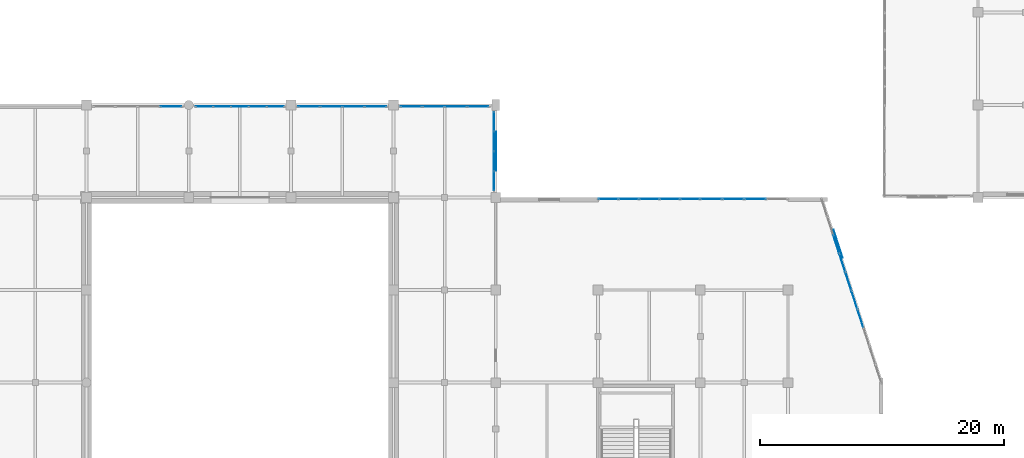
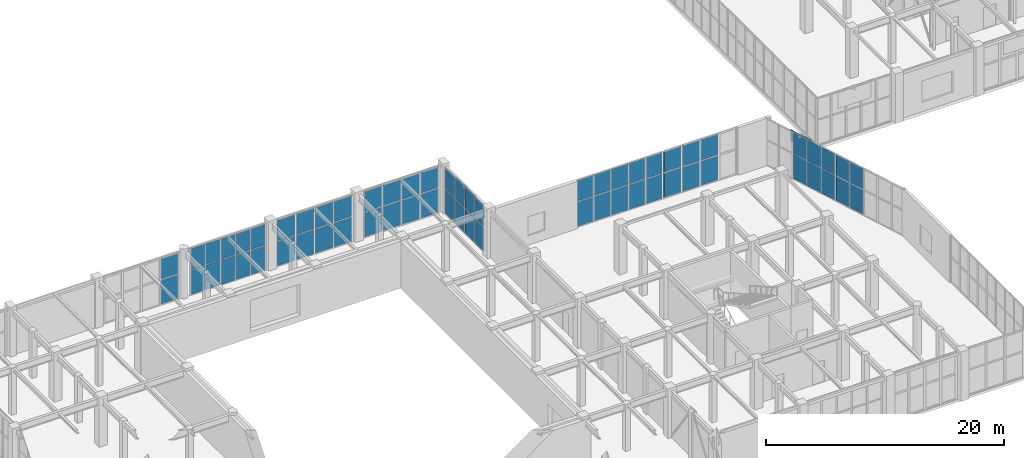
# One storey, part 101 of 128: 64 plates, 9 elements without a shape of their own.
"""IFC4 building model written with IfcOpenShell, lengths in metres."""

from ifc_helpers import new_model, si_unit, direction, frame, origin, origin_2d, place, context, subcontext, project, spatial, rectangle, extrude, material, layer, layer_set, type_object, element, aggregate, save


model = new_model("IFC4")

# Units and contexts
model_context = context("Model", 3, precision=1e-05, world=origin(), true_north=direction((0.0, 1.0)))
body_context = subcontext(model_context, "Body", "Model", "MODEL_VIEW")
ifc_project = project(units=[si_unit("LENGTHUNIT", "METRE"), si_unit("AREAUNIT", "SQUARE_METRE"), si_unit("VOLUMEUNIT", "CUBIC_METRE"), si_unit("PLANEANGLEUNIT", "RADIAN"), si_unit("MASSUNIT", "GRAM", prefix="KILO")], contexts=[model_context])

# Site, building, storey
site_placement = place(None, origin())
site = spatial("IfcSite", under=ifc_project, at=site_placement, CompositionType="ELEMENT")
building_placement = place(site_placement, origin())
building = spatial("IfcBuilding", under=site, at=building_placement, Name="Xicomal Pleat Aquarium", CompositionType="ELEMENT")
storey_placement = place(building_placement, frame((0.0, 0.0, 5.39990234375)))
storey = spatial("IfcBuildingStorey", under=building, at=storey_placement, Name="L02", CompositionType="ELEMENT", Elevation=5.39990234375)

# Curtain wall, plates
ifc_material_1 = material(Name="Bronze anodized aluminium 6063-T6", Category="aluminium")
ifc_layer_1 = layer(ifc_material_1, 0.159912109375)
ifc_layer_set_1 = layer_set([ifc_layer_1], Name="Bronze anodized aluminium 6063-T6")
curtain_wall_type_1 = type_object("IfcCurtainWallType", Name="CW-SYS-12", PredefinedType="NOTDEFINED", material=ifc_layer_set_1)
curtain_wall_1_placement = place(storey_placement, origin())
curtain_wall_1 = element("IfcCurtainWall", 1, at=curtain_wall_1_placement, inside=storey, type_object=curtain_wall_type_1, Name="L02 unitised curtain wall CW-L02-104", PredefinedType="NOTDEFINED")
ifc_material_2 = material(Name="Insulated low-E laminated glass", Category="glass")
ifc_layer_2 = layer(ifc_material_2, 0.028076171875)
ifc_layer_set_2 = layer_set([ifc_layer_2], Name="Insulated low-E laminated glass")
plate_type_1 = type_object("IfcPlateType", Name="CWP-GLZ-28", PredefinedType="CURTAIN_PANEL", material=ifc_layer_set_2)
plate_1_placement = place(storey_placement, frame((67.538818359375, 83.4599609375, 0.085205078125), z_axis=(0.0, 0.0, 1.0), x_axis=(1.0, 0.0, 0.0)))
plate_1 = element("IfcPlate", 2, at=plate_1_placement, type_object=plate_type_1, Name="CW-12 panel 4.1", PredefinedType="CURTAIN_PANEL", context=body_context, shape_type="SweptSolid", body=[
    extrude(rectangle(XDim=1.71240234375, YDim=0.028076171875, at=origin_2d()), origin(), (0.0, 0.0, 1.0), 2.4755859375),
])
plate_2_placement = place(storey_placement, frame((67.538818359375, 83.4599609375, 2.6455078125), z_axis=(0.0, 0.0, 1.0), x_axis=(1.0, 0.0, 0.0)))
plate_2 = element("IfcPlate", 3, at=plate_2_placement, type_object=plate_type_1, Name="CW-12 panel 4.2", PredefinedType="CURTAIN_PANEL", context=body_context, shape_type="SweptSolid", body=[
    extrude(rectangle(XDim=1.71240234375, YDim=0.028076171875, at=origin_2d()), origin(), (0.0, 0.0, 1.0), 2.089599609375),
])
aggregate(curtain_wall_1, [plate_1, plate_2])

ifc_material_3 = material(Name="Bronze anodized aluminium 6063-T6", Category="aluminium")
ifc_layer_3 = layer(ifc_material_3, 0.159912109375)
ifc_layer_set_3 = layer_set([ifc_layer_3], Name="Bronze anodized aluminium 6063-T6")
curtain_wall_type_2 = type_object("IfcCurtainWallType", Name="CW-SYS-02", PredefinedType="NOTDEFINED", material=ifc_layer_set_3)
curtain_wall_2_placement = place(storey_placement, origin())
curtain_wall_2 = element("IfcCurtainWall", 4, at=curtain_wall_2_placement, inside=storey, type_object=curtain_wall_type_2, Name="L02 unitised curtain wall CW-L02-108", PredefinedType="NOTDEFINED")
plate_3_placement = place(storey_placement, frame((94.06005859375, 82.24365234375, 0.06494140625), z_axis=(0.0, 0.0, 1.0), x_axis=(0.0, -1.0, 0.0)))
plate_3 = element("IfcPlate", 5, at=plate_3_placement, type_object=plate_type_1, Name="CW-02 panel 1.1", PredefinedType="CURTAIN_PANEL", context=body_context, shape_type="SweptSolid", body=[
    extrude(rectangle(XDim=1.54248046875, YDim=0.028076171875, at=origin_2d()), origin(), (0.0, 0.0, 1.0), 2.505615234375),
])
plate_4_placement = place(storey_placement, frame((94.06005859375, 82.24365234375, 2.6357421875), z_axis=(0.0, 0.0, 1.0), x_axis=(0.0, -1.0, 0.0)))
plate_4 = element("IfcPlate", 6, at=plate_4_placement, type_object=plate_type_1, Name="CW-02 panel 1.2", PredefinedType="CURTAIN_PANEL", context=body_context, shape_type="SweptSolid", body=[
    extrude(rectangle(XDim=1.54248046875, YDim=0.028076171875, at=origin_2d()), origin(), (0.0, 0.0, 1.0), 2.119384765625),
])
plate_5_placement = place(storey_placement, frame((94.06005859375, 80.6201171875, 0.06494140625), z_axis=(0.0, 0.0, 1.0), x_axis=(0.0, -1.0, 0.0)))
plate_5 = element("IfcPlate", 7, at=plate_5_placement, type_object=plate_type_1, Name="CW-02 panel 2.1", PredefinedType="CURTAIN_PANEL", context=body_context, shape_type="SweptSolid", body=[
    extrude(rectangle(XDim=1.574951171875, YDim=0.028076171875, at=origin_2d()), origin(), (0.0, 0.0, 1.0), 2.505615234375),
])
plate_6_placement = place(storey_placement, frame((94.06005859375, 80.6201171875, 2.6357421875), z_axis=(0.0, 0.0, 1.0), x_axis=(0.0, -1.0, 0.0)))
plate_6 = element("IfcPlate", 8, at=plate_6_placement, type_object=plate_type_1, Name="CW-02 panel 2.2", PredefinedType="CURTAIN_PANEL", context=body_context, shape_type="SweptSolid", body=[
    extrude(rectangle(XDim=1.574951171875, YDim=0.028076171875, at=origin_2d()), origin(), (0.0, 0.0, 1.0), 2.119384765625),
])
plate_7_placement = place(storey_placement, frame((94.06005859375, 78.97998046875, 0.06494140625), z_axis=(0.0, 0.0, 1.0), x_axis=(0.0, -1.0, 0.0)))
plate_7 = element("IfcPlate", 9, at=plate_7_placement, type_object=plate_type_1, Name="CW-02 panel 3.1", PredefinedType="CURTAIN_PANEL", context=body_context, shape_type="SweptSolid", body=[
    extrude(rectangle(XDim=1.574951171875, YDim=0.028076171875, at=origin_2d()), origin(), (0.0, 0.0, 1.0), 2.505615234375),
])
plate_8_placement = place(storey_placement, frame((94.06005859375, 78.97998046875, 2.6357421875), z_axis=(0.0, 0.0, 1.0), x_axis=(0.0, -1.0, 0.0)))
plate_8 = element("IfcPlate", 10, at=plate_8_placement, type_object=plate_type_1, Name="CW-02 panel 3.2", PredefinedType="CURTAIN_PANEL", context=body_context, shape_type="SweptSolid", body=[
    extrude(rectangle(XDim=1.574951171875, YDim=0.028076171875, at=origin_2d()), origin(), (0.0, 0.0, 1.0), 2.119384765625),
])
plate_9_placement = place(storey_placement, frame((94.06005859375, 77.356201171875, 0.06494140625), z_axis=(0.0, 0.0, 1.0), x_axis=(0.0, -1.0, 0.0)))
plate_9 = element("IfcPlate", 11, at=plate_9_placement, type_object=plate_type_1, Name="CW-02 panel 4.1", PredefinedType="CURTAIN_PANEL", context=body_context, shape_type="SweptSolid", body=[
    extrude(rectangle(XDim=1.54248046875, YDim=0.028076171875, at=origin_2d()), origin(), (0.0, 0.0, 1.0), 2.505615234375),
])
plate_10_placement = place(storey_placement, frame((94.06005859375, 77.356201171875, 2.6357421875), z_axis=(0.0, 0.0, 1.0), x_axis=(0.0, -1.0, 0.0)))
plate_10 = element("IfcPlate", 12, at=plate_10_placement, type_object=plate_type_1, Name="CW-02 panel 4.2", PredefinedType="CURTAIN_PANEL", context=body_context, shape_type="SweptSolid", body=[
    extrude(rectangle(XDim=1.54248046875, YDim=0.028076171875, at=origin_2d()), origin(), (0.0, 0.0, 1.0), 2.119384765625),
])
aggregate(curtain_wall_2, [plate_3, plate_4, plate_5, plate_6, plate_7, plate_8, plate_9, plate_10])

ifc_material_4 = material(Name="Bronze anodized aluminium 6063-T6", Category="aluminium")
ifc_layer_4 = layer(ifc_material_4, 0.159912109375)
ifc_layer_set_4 = layer_set([ifc_layer_4], Name="Bronze anodized aluminium 6063-T6")
curtain_wall_type_3 = type_object("IfcCurtainWallType", Name="CW-SYS-07", PredefinedType="NOTDEFINED", material=ifc_layer_set_4)
curtain_wall_3_placement = place(storey_placement, origin())
curtain_wall_3 = element("IfcCurtainWall", 13, at=curtain_wall_3_placement, inside=storey, type_object=curtain_wall_type_3, Name="L02 unitised curtain wall CW-L02-112", PredefinedType="NOTDEFINED")
plate_11_placement = place(storey_placement, frame((123.64990234375, 67.5791015625, 0.0751953125), z_axis=(0.0, 0.0, 1.0), x_axis=(0.309086072339, -0.95103406873, 0.0)))
plate_11 = element("IfcPlate", 14, at=plate_11_placement, type_object=plate_type_1, Name="CW-07 panel 1.1", PredefinedType="CURTAIN_PANEL", context=body_context, shape_type="SweptSolid", body=[
    extrude(rectangle(XDim=1.48583984375, YDim=0.028076171875, at=origin_2d()), origin(), (0.0, 0.0, 1.0), 2.511474609375),
])
plate_12_placement = place(storey_placement, frame((123.64990234375, 67.5791015625, 2.66162109375), z_axis=(0.0, 0.0, 1.0), x_axis=(0.309086072339, -0.95103406873, 0.0)))
plate_12 = element("IfcPlate", 15, at=plate_12_placement, type_object=plate_type_1, Name="CW-07 panel 1.2", PredefinedType="CURTAIN_PANEL", context=body_context, shape_type="SweptSolid", body=[
    extrude(rectangle(XDim=1.48583984375, YDim=0.028076171875, at=origin_2d()), origin(), (0.0, 0.0, 1.0), 2.12353515625),
])
plate_13_placement = place(storey_placement, frame((124.137939453125, 66.076904296875, 0.0751953125), z_axis=(0.0, 0.0, 1.0), x_axis=(0.309086072339, -0.95103406873, 0.0)))
plate_13 = element("IfcPlate", 16, at=plate_13_placement, type_object=plate_type_1, Name="CW-07 panel 2.1", PredefinedType="CURTAIN_PANEL", context=body_context, shape_type="SweptSolid", body=[
    extrude(rectangle(XDim=1.523193359375, YDim=0.028076171875, at=origin_2d()), origin(), (0.0, 0.0, 1.0), 2.511474609375),
])
plate_14_placement = place(storey_placement, frame((124.137939453125, 66.076904296875, 2.66162109375), z_axis=(0.0, 0.0, 1.0), x_axis=(0.309086072339, -0.95103406873, 0.0)))
plate_14 = element("IfcPlate", 17, at=plate_14_placement, type_object=plate_type_1, Name="CW-07 panel 2.2", PredefinedType="CURTAIN_PANEL", context=body_context, shape_type="SweptSolid", body=[
    extrude(rectangle(XDim=1.523193359375, YDim=0.028076171875, at=origin_2d()), origin(), (0.0, 0.0, 1.0), 2.12353515625),
])
aggregate(curtain_wall_3, [plate_11, plate_12, plate_13, plate_14])

curtain_wall_4_placement = place(storey_placement, origin())
curtain_wall_4 = element("IfcCurtainWall", 18, at=curtain_wall_4_placement, inside=storey, type_object=curtain_wall_type_2, Name="L02 unitised curtain wall CW-L02-105", PredefinedType="NOTDEFINED")
ifc_material_5 = material(Name="Insulated low-E laminated glass", Category="glass")
ifc_layer_5 = layer(ifc_material_5, 0.031982421875)
ifc_layer_set_5 = layer_set([ifc_layer_5], Name="Insulated low-E laminated glass")
plate_type_2 = type_object("IfcPlateType", Name="CWP-GLZ-32", PredefinedType="CURTAIN_PANEL", material=ifc_layer_set_5)
plate_15_placement = place(storey_placement, frame((70.272216796875, 83.4599609375, 0.06494140625), z_axis=(0.0, 0.0, 1.0), x_axis=(1.0, 0.0, 0.0)))
plate_15 = element("IfcPlate", 19, at=plate_15_placement, type_object=plate_type_2, Name="CW-02 panel 1.1", PredefinedType="CURTAIN_PANEL", context=body_context, shape_type="SweptSolid", body=[
    extrude(rectangle(XDim=1.37451171875, YDim=0.031982421875, at=origin_2d()), origin(), (0.0, 0.0, 1.0), 2.505615234375),
])
plate_16_placement = place(storey_placement, frame((70.272216796875, 83.4599609375, 2.6357421875), z_axis=(0.0, 0.0, 1.0), x_axis=(1.0, 0.0, 0.0)))
plate_16 = element("IfcPlate", 20, at=plate_16_placement, type_object=plate_type_2, Name="CW-02 panel 1.2", PredefinedType="CURTAIN_PANEL", context=body_context, shape_type="SweptSolid", body=[
    extrude(rectangle(XDim=1.37451171875, YDim=0.031982421875, at=origin_2d()), origin(), (0.0, 0.0, 1.0), 2.119384765625),
])
plate_17_placement = place(storey_placement, frame((71.72802734375, 83.4599609375, 0.06494140625), z_axis=(0.0, 0.0, 1.0), x_axis=(1.0, 0.0, 0.0)))
plate_17 = element("IfcPlate", 21, at=plate_17_placement, type_object=plate_type_2, Name="CW-02 panel 2.1", PredefinedType="CURTAIN_PANEL", context=body_context, shape_type="SweptSolid", body=[
    extrude(rectangle(XDim=1.406982421875, YDim=0.031982421875, at=origin_2d()), origin(), (0.0, 0.0, 1.0), 2.505615234375),
])
plate_18_placement = place(storey_placement, frame((71.72802734375, 83.4599609375, 2.6357421875), z_axis=(0.0, 0.0, 1.0), x_axis=(1.0, 0.0, 0.0)))
plate_18 = element("IfcPlate", 22, at=plate_18_placement, type_object=plate_type_2, Name="CW-02 panel 2.2", PredefinedType="CURTAIN_PANEL", context=body_context, shape_type="SweptSolid", body=[
    extrude(rectangle(XDim=1.406982421875, YDim=0.031982421875, at=origin_2d()), origin(), (0.0, 0.0, 1.0), 2.119384765625),
])
plate_19_placement = place(storey_placement, frame((73.199951171875, 83.4599609375, 0.06494140625), z_axis=(0.0, 0.0, 1.0), x_axis=(1.0, 0.0, 0.0)))
plate_19 = element("IfcPlate", 23, at=plate_19_placement, type_object=plate_type_2, Name="CW-02 panel 3.1", PredefinedType="CURTAIN_PANEL", context=body_context, shape_type="SweptSolid", body=[
    extrude(rectangle(XDim=1.406982421875, YDim=0.031982421875, at=origin_2d()), origin(), (0.0, 0.0, 1.0), 2.505615234375),
])
plate_20_placement = place(storey_placement, frame((73.199951171875, 83.4599609375, 2.6357421875), z_axis=(0.0, 0.0, 1.0), x_axis=(1.0, 0.0, 0.0)))
plate_20 = element("IfcPlate", 24, at=plate_20_placement, type_object=plate_type_2, Name="CW-02 panel 3.2", PredefinedType="CURTAIN_PANEL", context=body_context, shape_type="SweptSolid", body=[
    extrude(rectangle(XDim=1.406982421875, YDim=0.031982421875, at=origin_2d()), origin(), (0.0, 0.0, 1.0), 2.119384765625),
])
plate_21_placement = place(storey_placement, frame((74.672119140625, 83.4599609375, 0.06494140625), z_axis=(0.0, 0.0, 1.0), x_axis=(1.0, 0.0, 0.0)))
plate_21 = element("IfcPlate", 25, at=plate_21_placement, type_object=plate_type_2, Name="CW-02 panel 4.1", PredefinedType="CURTAIN_PANEL", context=body_context, shape_type="SweptSolid", body=[
    extrude(rectangle(XDim=1.406982421875, YDim=0.031982421875, at=origin_2d()), origin(), (0.0, 0.0, 1.0), 2.505615234375),
])
plate_22_placement = place(storey_placement, frame((74.672119140625, 83.4599609375, 2.6357421875), z_axis=(0.0, 0.0, 1.0), x_axis=(1.0, 0.0, 0.0)))
plate_22 = element("IfcPlate", 26, at=plate_22_placement, type_object=plate_type_2, Name="CW-02 panel 4.2", PredefinedType="CURTAIN_PANEL", context=body_context, shape_type="SweptSolid", body=[
    extrude(rectangle(XDim=1.406982421875, YDim=0.031982421875, at=origin_2d()), origin(), (0.0, 0.0, 1.0), 2.119384765625),
])
plate_23_placement = place(storey_placement, frame((76.127685546875, 83.4599609375, 0.06494140625), z_axis=(0.0, 0.0, 1.0), x_axis=(1.0, 0.0, 0.0)))
plate_23 = element("IfcPlate", 27, at=plate_23_placement, type_object=plate_type_2, Name="CW-02 panel 5.1", PredefinedType="CURTAIN_PANEL", context=body_context, shape_type="SweptSolid", body=[
    extrude(rectangle(XDim=1.37451171875, YDim=0.031982421875, at=origin_2d()), origin(), (0.0, 0.0, 1.0), 2.505615234375),
])
plate_24_placement = place(storey_placement, frame((76.127685546875, 83.4599609375, 2.6357421875), z_axis=(0.0, 0.0, 1.0), x_axis=(1.0, 0.0, 0.0)))
plate_24 = element("IfcPlate", 28, at=plate_24_placement, type_object=plate_type_2, Name="CW-02 panel 5.2", PredefinedType="CURTAIN_PANEL", context=body_context, shape_type="SweptSolid", body=[
    extrude(rectangle(XDim=1.37451171875, YDim=0.031982421875, at=origin_2d()), origin(), (0.0, 0.0, 1.0), 2.119384765625),
])
aggregate(curtain_wall_4, [plate_15, plate_16, plate_17, plate_18, plate_19, plate_20, plate_21, plate_22, plate_23, plate_24])

curtain_wall_5_placement = place(storey_placement, origin())
curtain_wall_5 = element("IfcCurtainWall", 29, at=curtain_wall_5_placement, inside=storey, type_object=curtain_wall_type_3, Name="L02 unitised curtain wall CW-L02-109", PredefinedType="NOTDEFINED")
plate_25_placement = place(storey_placement, frame((103.458740234375, 75.860107421875, 0.0751953125), z_axis=(0.0, 0.0, 1.0), x_axis=(1.0, 0.0, 0.0)))
plate_25 = element("IfcPlate", 30, at=plate_25_placement, type_object=plate_type_2, Name="CW-07 panel 1.1", PredefinedType="CURTAIN_PANEL", context=body_context, shape_type="SweptSolid", body=[
    extrude(rectangle(XDim=1.5673828125, YDim=0.031982421875, at=origin_2d()), origin(), (0.0, 0.0, 1.0), 2.511474609375),
])
plate_26_placement = place(storey_placement, frame((103.458740234375, 75.860107421875, 2.66162109375), z_axis=(0.0, 0.0, 1.0), x_axis=(1.0, 0.0, 0.0)))
plate_26 = element("IfcPlate", 31, at=plate_26_placement, type_object=plate_type_2, Name="CW-07 panel 1.2", PredefinedType="CURTAIN_PANEL", context=body_context, shape_type="SweptSolid", body=[
    extrude(rectangle(XDim=1.5673828125, YDim=0.031982421875, at=origin_2d()), origin(), (0.0, 0.0, 1.0), 2.12353515625),
])
plate_27_placement = place(storey_placement, frame((105.1201171875, 75.860107421875, 0.0751953125), z_axis=(0.0, 0.0, 1.0), x_axis=(1.0, 0.0, 0.0)))
plate_27 = element("IfcPlate", 32, at=plate_27_placement, type_object=plate_type_2, Name="CW-07 panel 2.1", PredefinedType="CURTAIN_PANEL", context=body_context, shape_type="SweptSolid", body=[
    extrude(rectangle(XDim=1.60498046875, YDim=0.031982421875, at=origin_2d()), origin(), (0.0, 0.0, 1.0), 2.511474609375),
])
plate_28_placement = place(storey_placement, frame((105.1201171875, 75.860107421875, 2.66162109375), z_axis=(0.0, 0.0, 1.0), x_axis=(1.0, 0.0, 0.0)))
plate_28 = element("IfcPlate", 33, at=plate_28_placement, type_object=plate_type_2, Name="CW-07 panel 2.2", PredefinedType="CURTAIN_PANEL", context=body_context, shape_type="SweptSolid", body=[
    extrude(rectangle(XDim=1.60498046875, YDim=0.031982421875, at=origin_2d()), origin(), (0.0, 0.0, 1.0), 2.12353515625),
])
plate_29_placement = place(storey_placement, frame((106.800048828125, 75.860107421875, 0.0751953125), z_axis=(0.0, 0.0, 1.0), x_axis=(1.0, 0.0, 0.0)))
plate_29 = element("IfcPlate", 34, at=plate_29_placement, type_object=plate_type_2, Name="CW-07 panel 3.1", PredefinedType="CURTAIN_PANEL", context=body_context, shape_type="SweptSolid", body=[
    extrude(rectangle(XDim=1.60498046875, YDim=0.031982421875, at=origin_2d()), origin(), (0.0, 0.0, 1.0), 2.511474609375),
])
plate_30_placement = place(storey_placement, frame((106.800048828125, 75.860107421875, 2.66162109375), z_axis=(0.0, 0.0, 1.0), x_axis=(1.0, 0.0, 0.0)))
plate_30 = element("IfcPlate", 35, at=plate_30_placement, type_object=plate_type_2, Name="CW-07 panel 3.2", PredefinedType="CURTAIN_PANEL", context=body_context, shape_type="SweptSolid", body=[
    extrude(rectangle(XDim=1.60498046875, YDim=0.031982421875, at=origin_2d()), origin(), (0.0, 0.0, 1.0), 2.12353515625),
])
plate_31_placement = place(storey_placement, frame((108.47998046875, 75.860107421875, 0.0751953125), z_axis=(0.0, 0.0, 1.0), x_axis=(1.0, 0.0, 0.0)))
plate_31 = element("IfcPlate", 36, at=plate_31_placement, type_object=plate_type_2, Name="CW-07 panel 4.1", PredefinedType="CURTAIN_PANEL", context=body_context, shape_type="SweptSolid", body=[
    extrude(rectangle(XDim=1.60498046875, YDim=0.031982421875, at=origin_2d()), origin(), (0.0, 0.0, 1.0), 2.511474609375),
])
plate_32_placement = place(storey_placement, frame((108.47998046875, 75.860107421875, 2.66162109375), z_axis=(0.0, 0.0, 1.0), x_axis=(1.0, 0.0, 0.0)))
plate_32 = element("IfcPlate", 37, at=plate_32_placement, type_object=plate_type_2, Name="CW-07 panel 4.2", PredefinedType="CURTAIN_PANEL", context=body_context, shape_type="SweptSolid", body=[
    extrude(rectangle(XDim=1.60498046875, YDim=0.031982421875, at=origin_2d()), origin(), (0.0, 0.0, 1.0), 2.12353515625),
])
plate_33_placement = place(storey_placement, frame((110.14111328125, 75.860107421875, 0.0751953125), z_axis=(0.0, 0.0, 1.0), x_axis=(1.0, 0.0, 0.0)))
plate_33 = element("IfcPlate", 38, at=plate_33_placement, type_object=plate_type_2, Name="CW-07 panel 5.1", PredefinedType="CURTAIN_PANEL", context=body_context, shape_type="SweptSolid", body=[
    extrude(rectangle(XDim=1.5673828125, YDim=0.031982421875, at=origin_2d()), origin(), (0.0, 0.0, 1.0), 2.511474609375),
])
plate_34_placement = place(storey_placement, frame((110.14111328125, 75.860107421875, 2.66162109375), z_axis=(0.0, 0.0, 1.0), x_axis=(1.0, 0.0, 0.0)))
plate_34 = element("IfcPlate", 39, at=plate_34_placement, type_object=plate_type_2, Name="CW-07 panel 5.2", PredefinedType="CURTAIN_PANEL", context=body_context, shape_type="SweptSolid", body=[
    extrude(rectangle(XDim=1.5673828125, YDim=0.031982421875, at=origin_2d()), origin(), (0.0, 0.0, 1.0), 2.12353515625),
])
aggregate(curtain_wall_5, [plate_25, plate_26, plate_27, plate_28, plate_29, plate_30, plate_31, plate_32, plate_33, plate_34])

curtain_wall_6_placement = place(storey_placement, origin())
curtain_wall_6 = element("IfcCurtainWall", 40, at=curtain_wall_6_placement, inside=storey, type_object=curtain_wall_type_3, Name="L02 unitised curtain wall CW-L02-106", PredefinedType="NOTDEFINED")
ifc_material_6 = material(Name="Insulated low-E laminated glass", Category="glass")
ifc_layer_6 = layer(ifc_material_6, 0.035888671875)
ifc_layer_set_6 = layer_set([ifc_layer_6], Name="Insulated low-E laminated glass")
plate_type_3 = type_object("IfcPlateType", Name="CWP-GLZ-36", PredefinedType="CURTAIN_PANEL", material=ifc_layer_set_6)
plate_35_placement = place(storey_placement, frame((78.85888671875, 83.4599609375, 0.0751953125), z_axis=(0.0, 0.0, 1.0), x_axis=(1.0, 0.0, 0.0)))
plate_35 = element("IfcPlate", 41, at=plate_35_placement, type_object=plate_type_3, Name="CW-07 panel 1.1", PredefinedType="CURTAIN_PANEL", context=body_context, shape_type="SweptSolid", body=[
    extrude(rectangle(XDim=1.7275390625, YDim=0.035888671875, at=origin_2d()), origin(), (0.0, 0.0, 1.0), 2.490478515625),
])
plate_36_placement = place(storey_placement, frame((78.85888671875, 83.4599609375, 2.640625), z_axis=(0.0, 0.0, 1.0), x_axis=(1.0, 0.0, 0.0)))
plate_36 = element("IfcPlate", 42, at=plate_36_placement, type_object=plate_type_3, Name="CW-07 panel 1.2", PredefinedType="CURTAIN_PANEL", context=body_context, shape_type="SweptSolid", body=[
    extrude(rectangle(XDim=1.7275390625, YDim=0.035888671875, at=origin_2d()), origin(), (0.0, 0.0, 1.0), 2.1044921875),
])
plate_37_placement = place(storey_placement, frame((80.679931640625, 83.4599609375, 0.0751953125), z_axis=(0.0, 0.0, 1.0), x_axis=(1.0, 0.0, 0.0)))
plate_37 = element("IfcPlate", 43, at=plate_37_placement, type_object=plate_type_3, Name="CW-07 panel 2.1", PredefinedType="CURTAIN_PANEL", context=body_context, shape_type="SweptSolid", body=[
    extrude(rectangle(XDim=1.764892578125, YDim=0.035888671875, at=origin_2d()), origin(), (0.0, 0.0, 1.0), 2.490478515625),
])
plate_38_placement = place(storey_placement, frame((80.679931640625, 83.4599609375, 2.640625), z_axis=(0.0, 0.0, 1.0), x_axis=(1.0, 0.0, 0.0)))
plate_38 = element("IfcPlate", 44, at=plate_38_placement, type_object=plate_type_3, Name="CW-07 panel 2.2", PredefinedType="CURTAIN_PANEL", context=body_context, shape_type="SweptSolid", body=[
    extrude(rectangle(XDim=1.764892578125, YDim=0.035888671875, at=origin_2d()), origin(), (0.0, 0.0, 1.0), 2.1044921875),
])
plate_39_placement = place(storey_placement, frame((82.52001953125, 83.4599609375, 0.0751953125), z_axis=(0.0, 0.0, 1.0), x_axis=(1.0, 0.0, 0.0)))
plate_39 = element("IfcPlate", 45, at=plate_39_placement, type_object=plate_type_3, Name="CW-07 panel 3.1", PredefinedType="CURTAIN_PANEL", context=body_context, shape_type="SweptSolid", body=[
    extrude(rectangle(XDim=1.764892578125, YDim=0.035888671875, at=origin_2d()), origin(), (0.0, 0.0, 1.0), 2.490478515625),
])
plate_40_placement = place(storey_placement, frame((82.52001953125, 83.4599609375, 2.640625), z_axis=(0.0, 0.0, 1.0), x_axis=(1.0, 0.0, 0.0)))
plate_40 = element("IfcPlate", 46, at=plate_40_placement, type_object=plate_type_3, Name="CW-07 panel 3.2", PredefinedType="CURTAIN_PANEL", context=body_context, shape_type="SweptSolid", body=[
    extrude(rectangle(XDim=1.764892578125, YDim=0.035888671875, at=origin_2d()), origin(), (0.0, 0.0, 1.0), 2.1044921875),
])
plate_41_placement = place(storey_placement, frame((84.34130859375, 83.4599609375, 0.0751953125), z_axis=(0.0, 0.0, 1.0), x_axis=(1.0, 0.0, 0.0)))
plate_41 = element("IfcPlate", 47, at=plate_41_placement, type_object=plate_type_3, Name="CW-07 panel 4.1", PredefinedType="CURTAIN_PANEL", context=body_context, shape_type="SweptSolid", body=[
    extrude(rectangle(XDim=1.7275390625, YDim=0.035888671875, at=origin_2d()), origin(), (0.0, 0.0, 1.0), 2.490478515625),
])
plate_42_placement = place(storey_placement, frame((84.34130859375, 83.4599609375, 2.640625), z_axis=(0.0, 0.0, 1.0), x_axis=(1.0, 0.0, 0.0)))
plate_42 = element("IfcPlate", 48, at=plate_42_placement, type_object=plate_type_3, Name="CW-07 panel 4.2", PredefinedType="CURTAIN_PANEL", context=body_context, shape_type="SweptSolid", body=[
    extrude(rectangle(XDim=1.7275390625, YDim=0.035888671875, at=origin_2d()), origin(), (0.0, 0.0, 1.0), 2.1044921875),
])
aggregate(curtain_wall_6, [plate_35, plate_36, plate_37, plate_38, plate_39, plate_40, plate_41, plate_42])

curtain_wall_7_placement = place(storey_placement, origin())
curtain_wall_7 = element("IfcCurtainWall", 49, at=curtain_wall_7_placement, inside=storey, type_object=curtain_wall_type_1, Name="L02 unitised curtain wall CW-L02-110", PredefinedType="NOTDEFINED")
plate_43_placement = place(storey_placement, frame((111.92138671875, 75.860107421875, 0.0849609375), z_axis=(0.0, 0.0, 1.0), x_axis=(1.0, 0.0, 0.0)))
plate_43 = element("IfcPlate", 50, at=plate_43_placement, type_object=plate_type_3, Name="CW-12 panel 1.1", PredefinedType="CURTAIN_PANEL", context=body_context, shape_type="SweptSolid", body=[
    extrude(rectangle(XDim=1.672607421875, YDim=0.035888671875, at=origin_2d()), origin(), (0.0, 0.0, 1.0), 2.49658203125),
])
plate_44_placement = place(storey_placement, frame((111.92138671875, 75.860107421875, 2.66650390625), z_axis=(0.0, 0.0, 1.0), x_axis=(1.0, 0.0, 0.0)))
plate_44 = element("IfcPlate", 51, at=plate_44_placement, type_object=plate_type_3, Name="CW-12 panel 1.2", PredefinedType="CURTAIN_PANEL", context=body_context, shape_type="SweptSolid", body=[
    extrude(rectangle(XDim=1.672607421875, YDim=0.035888671875, at=origin_2d()), origin(), (0.0, 0.0, 1.0), 2.1083984375),
])
plate_45_placement = place(storey_placement, frame((113.699951171875, 75.860107421875, 0.0849609375), z_axis=(0.0, 0.0, 1.0), x_axis=(1.0, 0.0, 0.0)))
plate_45 = element("IfcPlate", 52, at=plate_45_placement, type_object=plate_type_3, Name="CW-12 panel 2.1", PredefinedType="CURTAIN_PANEL", context=body_context, shape_type="SweptSolid", body=[
    extrude(rectangle(XDim=1.715087890625, YDim=0.035888671875, at=origin_2d()), origin(), (0.0, 0.0, 1.0), 2.49658203125),
])
plate_46_placement = place(storey_placement, frame((113.699951171875, 75.860107421875, 2.66650390625), z_axis=(0.0, 0.0, 1.0), x_axis=(1.0, 0.0, 0.0)))
plate_46 = element("IfcPlate", 53, at=plate_46_placement, type_object=plate_type_3, Name="CW-12 panel 2.2", PredefinedType="CURTAIN_PANEL", context=body_context, shape_type="SweptSolid", body=[
    extrude(rectangle(XDim=1.715087890625, YDim=0.035888671875, at=origin_2d()), origin(), (0.0, 0.0, 1.0), 2.1083984375),
])
plate_47_placement = place(storey_placement, frame((115.5, 75.860107421875, 0.0849609375), z_axis=(0.0, 0.0, 1.0), x_axis=(1.0, 0.0, 0.0)))
plate_47 = element("IfcPlate", 54, at=plate_47_placement, type_object=plate_type_3, Name="CW-12 panel 3.1", PredefinedType="CURTAIN_PANEL", context=body_context, shape_type="SweptSolid", body=[
    extrude(rectangle(XDim=1.715087890625, YDim=0.035888671875, at=origin_2d()), origin(), (0.0, 0.0, 1.0), 2.49658203125),
])
plate_48_placement = place(storey_placement, frame((115.5, 75.860107421875, 2.66650390625), z_axis=(0.0, 0.0, 1.0), x_axis=(1.0, 0.0, 0.0)))
plate_48 = element("IfcPlate", 55, at=plate_48_placement, type_object=plate_type_3, Name="CW-12 panel 3.2", PredefinedType="CURTAIN_PANEL", context=body_context, shape_type="SweptSolid", body=[
    extrude(rectangle(XDim=1.715087890625, YDim=0.035888671875, at=origin_2d()), origin(), (0.0, 0.0, 1.0), 2.1083984375),
])
aggregate(curtain_wall_7, [plate_43, plate_44, plate_45, plate_46, plate_47, plate_48])

curtain_wall_8_placement = place(storey_placement, origin())
curtain_wall_8 = element("IfcCurtainWall", 56, at=curtain_wall_8_placement, inside=storey, type_object=curtain_wall_type_1, Name="L02 unitised curtain wall CW-L02-107", PredefinedType="NOTDEFINED")
ifc_material_7 = material(Name="Insulated low-E laminated glass", Category="glass")
ifc_layer_7 = layer(ifc_material_7, 0.0419921875)
ifc_layer_set_7 = layer_set([ifc_layer_7], Name="Insulated low-E laminated glass")
plate_type_4 = type_object("IfcPlateType", Name="CWP-GLZ-42", PredefinedType="CURTAIN_PANEL", material=ifc_layer_set_7)
plate_49_placement = place(storey_placement, frame((87.26123046875, 83.4599609375, 0.085205078125), z_axis=(0.0, 0.0, 1.0), x_axis=(1.0, 0.0, 0.0)))
plate_49 = element("IfcPlate", 57, at=plate_49_placement, type_object=plate_type_4, Name="CW-12 panel 1.1", PredefinedType="CURTAIN_PANEL", context=body_context, shape_type="SweptSolid", body=[
    extrude(rectangle(XDim=1.71240234375, YDim=0.0419921875, at=origin_2d()), origin(), (0.0, 0.0, 1.0), 2.4755859375),
])
plate_50_placement = place(storey_placement, frame((87.26123046875, 83.4599609375, 2.6455078125), z_axis=(0.0, 0.0, 1.0), x_axis=(1.0, 0.0, 0.0)))
plate_50 = element("IfcPlate", 58, at=plate_50_placement, type_object=plate_type_4, Name="CW-12 panel 1.2", PredefinedType="CURTAIN_PANEL", context=body_context, shape_type="SweptSolid", body=[
    extrude(rectangle(XDim=1.71240234375, YDim=0.0419921875, at=origin_2d()), origin(), (0.0, 0.0, 1.0), 2.089599609375),
])
plate_51_placement = place(storey_placement, frame((89.080078125, 83.4599609375, 0.085205078125), z_axis=(0.0, 0.0, 1.0), x_axis=(1.0, 0.0, 0.0)))
plate_51 = element("IfcPlate", 59, at=plate_51_placement, type_object=plate_type_4, Name="CW-12 panel 2.1", PredefinedType="CURTAIN_PANEL", context=body_context, shape_type="SweptSolid", body=[
    extrude(rectangle(XDim=1.7548828125, YDim=0.0419921875, at=origin_2d()), origin(), (0.0, 0.0, 1.0), 2.4755859375),
])
plate_52_placement = place(storey_placement, frame((89.080078125, 83.4599609375, 2.6455078125), z_axis=(0.0, 0.0, 1.0), x_axis=(1.0, 0.0, 0.0)))
plate_52 = element("IfcPlate", 60, at=plate_52_placement, type_object=plate_type_4, Name="CW-12 panel 2.2", PredefinedType="CURTAIN_PANEL", context=body_context, shape_type="SweptSolid", body=[
    extrude(rectangle(XDim=1.7548828125, YDim=0.0419921875, at=origin_2d()), origin(), (0.0, 0.0, 1.0), 2.089599609375),
])
plate_53_placement = place(storey_placement, frame((90.919921875, 83.4599609375, 0.085205078125), z_axis=(0.0, 0.0, 1.0), x_axis=(1.0, 0.0, 0.0)))
plate_53 = element("IfcPlate", 61, at=plate_53_placement, type_object=plate_type_4, Name="CW-12 panel 3.1", PredefinedType="CURTAIN_PANEL", context=body_context, shape_type="SweptSolid", body=[
    extrude(rectangle(XDim=1.7548828125, YDim=0.0419921875, at=origin_2d()), origin(), (0.0, 0.0, 1.0), 2.4755859375),
])
plate_54_placement = place(storey_placement, frame((90.919921875, 83.4599609375, 2.6455078125), z_axis=(0.0, 0.0, 1.0), x_axis=(1.0, 0.0, 0.0)))
plate_54 = element("IfcPlate", 62, at=plate_54_placement, type_object=plate_type_4, Name="CW-12 panel 3.2", PredefinedType="CURTAIN_PANEL", context=body_context, shape_type="SweptSolid", body=[
    extrude(rectangle(XDim=1.7548828125, YDim=0.0419921875, at=origin_2d()), origin(), (0.0, 0.0, 1.0), 2.089599609375),
])
plate_55_placement = place(storey_placement, frame((92.73876953125, 83.4599609375, 0.085205078125), z_axis=(0.0, 0.0, 1.0), x_axis=(1.0, 0.0, 0.0)))
plate_55 = element("IfcPlate", 63, at=plate_55_placement, type_object=plate_type_4, Name="CW-12 panel 4.1", PredefinedType="CURTAIN_PANEL", context=body_context, shape_type="SweptSolid", body=[
    extrude(rectangle(XDim=1.71240234375, YDim=0.0419921875, at=origin_2d()), origin(), (0.0, 0.0, 1.0), 2.4755859375),
])
plate_56_placement = place(storey_placement, frame((92.73876953125, 83.4599609375, 2.6455078125), z_axis=(0.0, 0.0, 1.0), x_axis=(1.0, 0.0, 0.0)))
plate_56 = element("IfcPlate", 64, at=plate_56_placement, type_object=plate_type_4, Name="CW-12 panel 4.2", PredefinedType="CURTAIN_PANEL", context=body_context, shape_type="SweptSolid", body=[
    extrude(rectangle(XDim=1.71240234375, YDim=0.0419921875, at=origin_2d()), origin(), (0.0, 0.0, 1.0), 2.089599609375),
])
aggregate(curtain_wall_8, [plate_49, plate_50, plate_51, plate_52, plate_53, plate_54, plate_55, plate_56])

curtain_wall_9_placement = place(storey_placement, origin())
curtain_wall_9 = element("IfcCurtainWall", 65, at=curtain_wall_9_placement, inside=storey, type_object=curtain_wall_type_2, Name="L02 unitised curtain wall CW-L02-111", PredefinedType="NOTDEFINED")
plate_57_placement = place(storey_placement, frame((122.162109375, 72.156982421875, 0.06494140625), z_axis=(0.0, 0.0, 1.0), x_axis=(0.309086072339, -0.95103406873, 0.0)))
plate_57 = element("IfcPlate", 66, at=plate_57_placement, type_object=plate_type_4, Name="CW-02 panel 3.1", PredefinedType="CURTAIN_PANEL", context=body_context, shape_type="SweptSolid", body=[
    extrude(rectangle(XDim=1.533203125, YDim=0.0419921875, at=origin_2d()), origin(), (0.0, 0.0, 1.0), 2.526611328125),
])
plate_58_placement = place(storey_placement, frame((122.162109375, 72.156982421875, 2.65673828125), z_axis=(0.0, 0.0, 1.0), x_axis=(0.309086072339, -0.95103406873, 0.0)))
plate_58 = element("IfcPlate", 67, at=plate_58_placement, type_object=plate_type_4, Name="CW-02 panel 3.2", PredefinedType="CURTAIN_PANEL", context=body_context, shape_type="SweptSolid", body=[
    extrude(rectangle(XDim=1.533203125, YDim=0.0419921875, at=origin_2d()), origin(), (0.0, 0.0, 1.0), 2.138427734375),
])
plate_59_placement = place(storey_placement, frame((122.656005859375, 70.636962890625, 0.06494140625), z_axis=(0.0, 0.0, 1.0), x_axis=(0.309086072339, -0.95103406873, 0.0)))
plate_59 = element("IfcPlate", 68, at=plate_59_placement, type_object=plate_type_4, Name="CW-02 panel 4.1", PredefinedType="CURTAIN_PANEL", context=body_context, shape_type="SweptSolid", body=[
    extrude(rectangle(XDim=1.533203125, YDim=0.0419921875, at=origin_2d()), origin(), (0.0, 0.0, 1.0), 2.526611328125),
])
plate_60_placement = place(storey_placement, frame((122.656005859375, 70.636962890625, 2.65673828125), z_axis=(0.0, 0.0, 1.0), x_axis=(0.309086072339, -0.95103406873, 0.0)))
plate_60 = element("IfcPlate", 69, at=plate_60_placement, type_object=plate_type_4, Name="CW-02 panel 4.2", PredefinedType="CURTAIN_PANEL", context=body_context, shape_type="SweptSolid", body=[
    extrude(rectangle(XDim=1.533203125, YDim=0.0419921875, at=origin_2d()), origin(), (0.0, 0.0, 1.0), 2.138427734375),
])
plate_61_placement = place(storey_placement, frame((123.14501953125, 69.132568359375, 0.06494140625), z_axis=(0.0, 0.0, 1.0), x_axis=(0.309086072339, -0.95103406873, 0.0)))
plate_61 = element("IfcPlate", 70, at=plate_61_placement, type_object=plate_type_4, Name="CW-02 panel 5.1", PredefinedType="CURTAIN_PANEL", context=body_context, shape_type="SweptSolid", body=[
    extrude(rectangle(XDim=1.500732421875, YDim=0.0419921875, at=origin_2d()), origin(), (0.0, 0.0, 1.0), 2.526611328125),
])
plate_62_placement = place(storey_placement, frame((123.14501953125, 69.132568359375, 2.65673828125), z_axis=(0.0, 0.0, 1.0), x_axis=(0.309086072339, -0.95103406873, 0.0)))
plate_62 = element("IfcPlate", 71, at=plate_62_placement, type_object=plate_type_4, Name="CW-02 panel 5.2", PredefinedType="CURTAIN_PANEL", context=body_context, shape_type="SweptSolid", body=[
    extrude(rectangle(XDim=1.500732421875, YDim=0.0419921875, at=origin_2d()), origin(), (0.0, 0.0, 1.0), 2.138427734375),
])
aggregate(curtain_wall_9, [plate_57, plate_58, plate_59, plate_60, plate_61, plate_62])

# Plates
ifc_material_8 = material(Name="Perforated bronze anodized aluminium", Category="aluminium")
ifc_layer_8 = layer(ifc_material_8, 0.01611328125)
ifc_layer_set_8 = layer_set([ifc_layer_8], Name="Perforated bronze anodized aluminium")
plate_type_5 = type_object("IfcPlateType", Name="PLT-SUN-16", PredefinedType="USERDEFINED", material=ifc_layer_set_8)
plate_63_placement = place(storey_placement, frame((122.31396484375, 72.2060546875, 3.6201171875), z_axis=(0.0, 0.0, 1.0), x_axis=(0.309016994375, -0.951056516295, 0.0)))
element("IfcPlate", 72, at=plate_63_placement, inside=storey, type_object=plate_type_5, Name="L02 perforated solar sunshade 54", ObjectType="SUNSHADE PANEL", PredefinedType="USERDEFINED", context=body_context, shape_type="SweptSolid", body=[
    extrude(rectangle(XDim=2.39990234375, YDim=0.01611328125, at=origin_2d()), origin(), (0.0, 0.0, 1.0), 1.199951171875),
])
ifc_material_9 = material(Name="Perforated bronze anodized aluminium", Category="aluminium")
ifc_layer_9 = layer(ifc_material_9, 0.02392578125)
ifc_layer_set_9 = layer_set([ifc_layer_9], Name="Perforated bronze anodized aluminium")
plate_type_6 = type_object("IfcPlateType", Name="PLT-SUN-24", PredefinedType="USERDEFINED", material=ifc_layer_set_9)
plate_64_placement = place(storey_placement, frame((94.219970703125, 79.800048828125, 3.179931640625), z_axis=(0.0, 0.0, 1.0), x_axis=(0.0, -1.0, 0.0)))
element("IfcPlate", 73, at=plate_64_placement, inside=storey, type_object=plate_type_6, Name="L02 perforated solar sunshade 53", ObjectType="SUNSHADE PANEL", PredefinedType="USERDEFINED", context=body_context, shape_type="SweptSolid", body=[
    extrude(rectangle(XDim=3.199951171875, YDim=0.02392578125, at=origin_2d()), origin(), (0.0, 0.0, 1.0), 1.60009765625),
])

save(model, "model.ifc")
